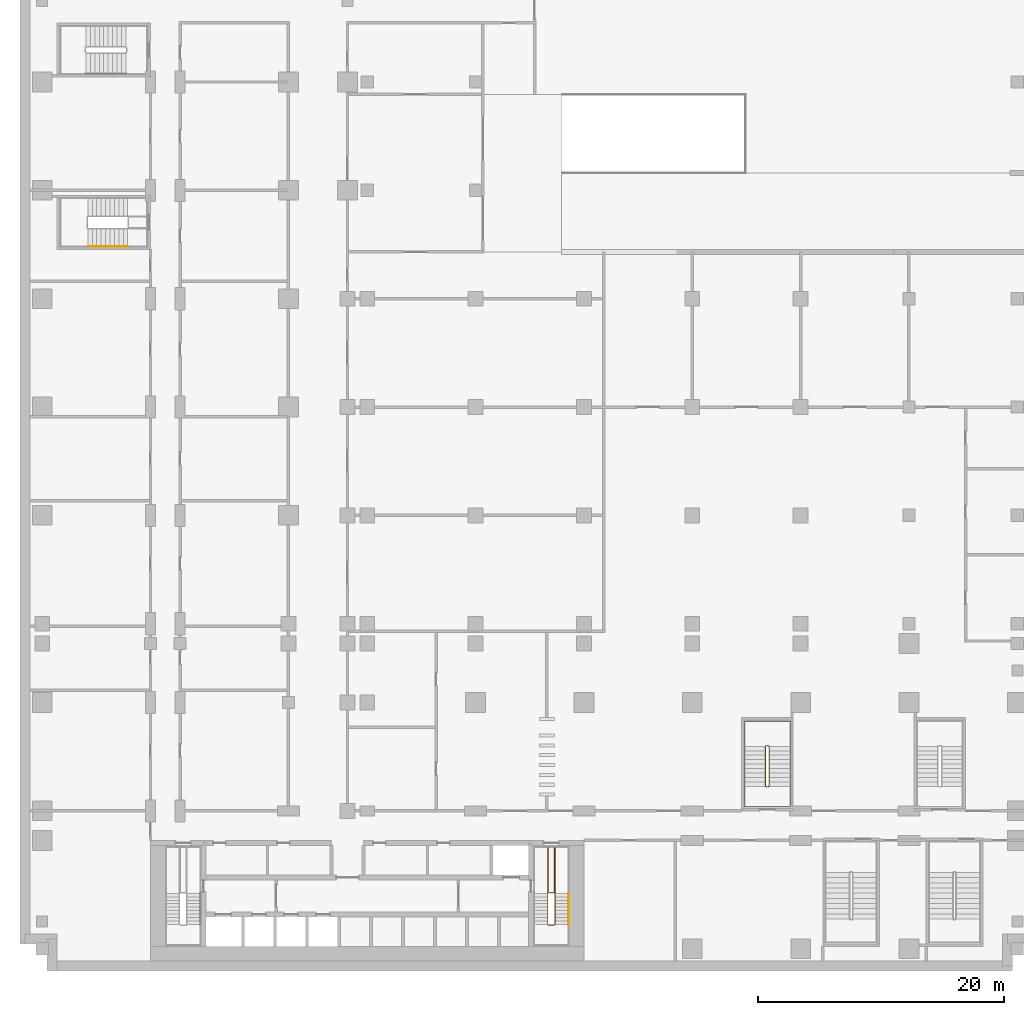
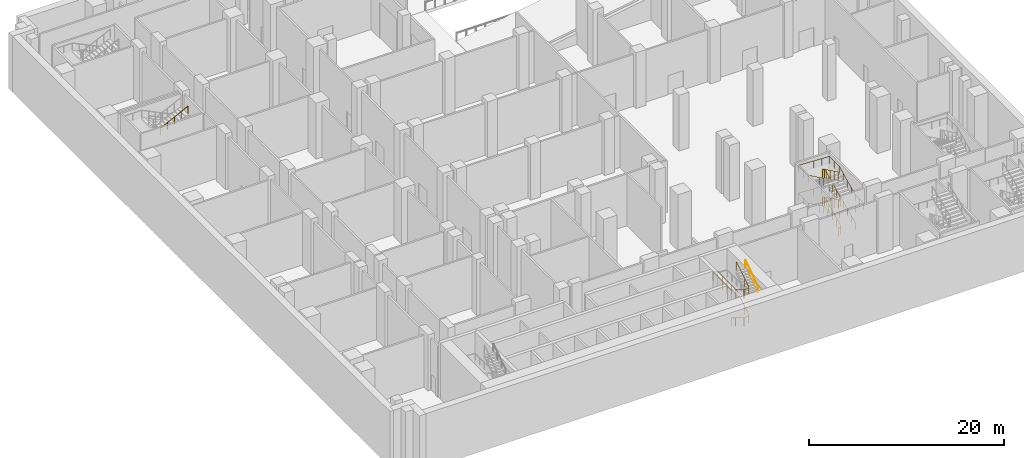
# One storey, part 12 of 15: 5 railings.
"""IFC4 building model written with IfcOpenShell, lengths in metres."""

from ifc_helpers import new_model, si_unit, direction, frame, origin, origin_2d, place, context, subcontext, project, spatial, circle, extrude, material, type_object, element, save


model = new_model("IFC4")

# Units and contexts
model_context = context("Model", 3, precision=1e-05, world=origin(), true_north=direction((0.0, 1.0)))
body_context = subcontext(model_context, "Body", "Model", "MODEL_VIEW")
ifc_project = project(units=[si_unit("LENGTHUNIT", "METRE"), si_unit("AREAUNIT", "SQUARE_METRE"), si_unit("VOLUMEUNIT", "CUBIC_METRE"), si_unit("PLANEANGLEUNIT", "RADIAN"), si_unit("MASSUNIT", "GRAM", prefix="KILO")], contexts=[model_context])

# Site, building, storey
site_placement = place(None, origin())
site = spatial("IfcSite", under=ifc_project, at=site_placement, CompositionType="ELEMENT")
building_placement = place(site_placement, origin())
building = spatial("IfcBuilding", under=site, at=building_placement, Name="Kemantara Hotel Tower", CompositionType="ELEMENT")
storey_placement = place(building_placement, frame((0.0, 0.0, -7.0)))
storey = spatial("IfcBuildingStorey", under=building, at=storey_placement, Name="B1", CompositionType="ELEMENT", Elevation=-7.0)

# Railings
ifc_material = material(Name="Stainless steel balustrade", Category="steel")
railing_type_1 = type_object("IfcRailingType", Name="Stair guard 1100 mm", PredefinedType="GUARDRAIL", material=ifc_material)
railing_1_placement = place(storey_placement, frame((42.64990234375, 5.5, 7.0)))
element("IfcRailing", 1, at=railing_1_placement, inside=storey, type_object=railing_type_1, Name="B1 ST2 stair guard 1", PredefinedType="GUARDRAIL", context=body_context, shape_type="SweptSolid", body=[
    extrude(circle(Radius=0.02392578125, at=origin_2d()), frame((0.0, 0.0, 1.076171875), z_axis=(0.0, -0.848007534815, -0.529984170421), x_axis=(1.0, 0.0, 0.0)), (0.0, 0.0, 1.0), 2.9716796875),
    extrude(circle(Radius=0.02392578125, at=origin_2d()), frame((0.0, -2.52001953125, -0.4990234375), z_axis=(-0.263862480399, -0.265155923931, -0.927399011991), x_axis=(0.708833529934, -0.705375805398, 0.0)), (0.0, 0.0, 1.0), 0.188720703125),
    extrude(circle(Radius=0.02392578125, at=origin_2d()), frame((-0.0498046875, -2.570068359375, -0.673828125), z_axis=(-1.0, 0.0, 0.0), x_axis=(0.0, -1.0, 0.0)), (0.0, 0.0, 1.0), 0.5),
    extrude(circle(Radius=0.02392578125, at=origin_2d()), frame((-0.5498046875, -2.570068359375, -0.673828125), z_axis=(-0.707106781187, 0.707106781187, 0.0), x_axis=(-0.707106781187, -0.707106781187, 0.0)), (0.0, 0.0, 1.0), 0.07080078125),
    extrude(circle(Radius=0.02392578125, at=origin_2d()), frame((-0.599853515625, -2.52001953125, -0.673828125), z_axis=(0.0, 0.848007534815, -0.529984170421), x_axis=(-1.0, 0.0, 0.0)), (0.0, 0.0, 1.0), 2.9716796875),
    extrude(circle(Radius=0.02392578125, at=origin_2d()), frame((-0.599853515625, 0.0, -2.2490234375), z_axis=(0.0, 1.0, 0.0), x_axis=(-1.0, 0.0, 0.0)), (0.0, 0.0, 1.0), 3.780029296875),
    extrude(circle(Radius=0.02392578125, at=origin_2d()), frame((-0.599853515625, 3.780029296875, -2.2490234375), z_axis=(0.952909114454, 0.0, -0.303256029766), x_axis=(0.0, 1.0, 0.0)), (0.0, 0.0, 1.0), 0.5771484375),
    extrude(circle(Radius=0.02392578125, at=origin_2d()), frame((-0.0498046875, 3.780029296875, -2.423828125), z_axis=(0.0, -1.0, 0.0), x_axis=(1.0, 0.0, 0.0)), (0.0, 0.0, 1.0), 3.72998046875),
    extrude(circle(Radius=0.02392578125, at=origin_2d()), frame((-0.0498046875, 0.050048828125, -2.423828125), z_axis=(-1.0, 0.0, 0.0), x_axis=(0.0, -1.0, 0.0)), (0.0, 0.0, 1.0), 0.5),
    extrude(circle(Radius=0.02392578125, at=origin_2d()), frame((-0.5498046875, 0.050048828125, -2.423828125), z_axis=(0.0, 1.0, 0.0), x_axis=(-1.0, 0.0, 0.0)), (0.0, 0.0, 1.0), 3.72998046875),
    extrude(circle(Radius=0.02392578125, at=origin_2d()), frame((-0.5498046875, 3.780029296875, -2.423828125), z_axis=(1.0, 0.0, 0.0), x_axis=(0.0, 1.0, 0.0)), (0.0, 0.0, 1.0), 0.5498046875),
    extrude(circle(Radius=0.02392578125, at=origin_2d()), frame((0.0, 3.780029296875, -2.423828125), z_axis=(0.0, -1.0, 0.0), x_axis=(1.0, 0.0, 0.0)), (0.0, 0.0, 1.0), 3.780029296875),
    extrude(circle(Radius=0.02392578125, at=origin_2d()), frame((0.0, 0.0, -2.423828125), z_axis=(0.0, -0.848007534815, -0.529984170421), x_axis=(1.0, 0.0, 0.0)), (0.0, 0.0, 1.0), 2.9716796875),
    extrude(circle(Radius=0.02392578125, at=origin_2d()), frame((0.0, -2.52001953125, -3.9990234375), z_axis=(-0.263862480399, -0.265155923931, -0.927399011991), x_axis=(0.708833529934, -0.705375805398, 0.0)), (0.0, 0.0, 1.0), 0.188720703125),
    extrude(circle(Radius=0.02392578125, at=origin_2d()), frame((-0.0498046875, -2.570068359375, -4.173828125), z_axis=(-1.0, 0.0, 0.0), x_axis=(0.0, -1.0, 0.0)), (0.0, 0.0, 1.0), 0.5),
    extrude(circle(Radius=0.02392578125, at=origin_2d()), frame((-0.5498046875, -2.570068359375, -4.173828125), z_axis=(-0.707106781187, 0.707106781187, 0.0), x_axis=(-0.707106781187, -0.707106781187, 0.0)), (0.0, 0.0, 1.0), 0.07080078125),
    extrude(circle(Radius=0.02392578125, at=origin_2d()), frame((-0.599853515625, -2.52001953125, -4.173828125), z_axis=(0.0, 0.848007534815, -0.529984170421), x_axis=(-1.0, 0.0, 0.0)), (0.0, 0.0, 1.0), 2.9716796875),
    extrude(circle(Radius=0.02392578125, at=origin_2d()), frame((-0.599853515625, 0.0, -5.7490234375), z_axis=(0.265065253269, 0.265065253269, -0.927081885822), x_axis=(-0.707106781187, 0.707106781187, 0.0)), (0.0, 0.0, 1.0), 0.188720703125),
    extrude(circle(Radius=0.02392578125, at=origin_2d()), frame((-0.5498046875, 0.050048828125, -5.923828125), z_axis=(1.0, 0.0, 0.0), x_axis=(0.0, 1.0, 0.0)), (0.0, 0.0, 1.0), 0.5),
    extrude(circle(Radius=0.02099609375, at=origin_2d()), origin(), (0.0, 0.0, 1.0), 1.052001953125),
    extrude(circle(Radius=0.02099609375, at=origin_2d()), frame((0.0, -0.840087890625, -0.52490234375)), (0.0, 0.0, 1.0), 1.052001953125),
    extrude(circle(Radius=0.02099609375, at=origin_2d()), frame((0.0, -1.679931640625, -1.050048828125)), (0.0, 0.0, 1.0), 1.052001953125),
    extrude(circle(Radius=0.02099609375, at=origin_2d()), frame((0.0, -2.52001953125, -1.574951171875)), (0.0, 0.0, 1.0), 1.052001953125),
    extrude(circle(Radius=0.02099609375, at=origin_2d()), frame((-0.0498046875, -2.570068359375, -1.75)), (0.0, 0.0, 1.0), 1.052001953125),
    extrude(circle(Radius=0.02099609375, at=origin_2d()), frame((-0.5498046875, -2.570068359375, -1.75)), (0.0, 0.0, 1.0), 1.052001953125),
    extrude(circle(Radius=0.02099609375, at=origin_2d()), frame((-0.599853515625, -2.52001953125, -1.75)), (0.0, 0.0, 1.0), 1.052001953125),
    extrude(circle(Radius=0.02099609375, at=origin_2d()), frame((-0.599853515625, -1.679931640625, -2.27490234375)), (0.0, 0.0, 1.0), 1.052001953125),
    extrude(circle(Radius=0.02099609375, at=origin_2d()), frame((-0.599853515625, -0.840087890625, -2.800048828125)), (0.0, 0.0, 1.0), 1.052001953125),
    extrude(circle(Radius=0.02099609375, at=origin_2d()), frame((-0.599853515625, 0.0, -3.324951171875)), (0.0, 0.0, 1.0), 1.052001953125),
    extrude(circle(Radius=0.02099609375, at=origin_2d()), frame((-0.599853515625, 0.945068359375, -3.324951171875)), (0.0, 0.0, 1.0), 1.052001953125),
    extrude(circle(Radius=0.02099609375, at=origin_2d()), frame((-0.599853515625, 1.89013671875, -3.324951171875)), (0.0, 0.0, 1.0), 1.052001953125),
    extrude(circle(Radius=0.02099609375, at=origin_2d()), frame((-0.599853515625, 2.8349609375, -3.324951171875)), (0.0, 0.0, 1.0), 1.052001953125),
    extrude(circle(Radius=0.02099609375, at=origin_2d()), frame((-0.599853515625, 3.780029296875, -3.324951171875)), (0.0, 0.0, 1.0), 1.052001953125),
    extrude(circle(Radius=0.02099609375, at=origin_2d()), frame((-0.0498046875, 3.780029296875, -3.5)), (0.0, 0.0, 1.0), 1.052001953125),
    extrude(circle(Radius=0.02099609375, at=origin_2d()), frame((-0.0498046875, 2.84765625, -3.5)), (0.0, 0.0, 1.0), 1.052001953125),
    extrude(circle(Radius=0.02099609375, at=origin_2d()), frame((-0.0498046875, 1.9150390625, -3.5)), (0.0, 0.0, 1.0), 1.052001953125),
    extrude(circle(Radius=0.02099609375, at=origin_2d()), frame((-0.0498046875, 0.982421875, -3.5)), (0.0, 0.0, 1.0), 1.052001953125),
    extrude(circle(Radius=0.02099609375, at=origin_2d()), frame((-0.0498046875, 0.050048828125, -3.5)), (0.0, 0.0, 1.0), 1.052001953125),
    extrude(circle(Radius=0.02099609375, at=origin_2d()), frame((-0.5498046875, 0.050048828125, -3.5)), (0.0, 0.0, 1.0), 1.052001953125),
    extrude(circle(Radius=0.02099609375, at=origin_2d()), frame((-0.5498046875, 0.982421875, -3.5)), (0.0, 0.0, 1.0), 1.052001953125),
    extrude(circle(Radius=0.02099609375, at=origin_2d()), frame((-0.5498046875, 1.9150390625, -3.5)), (0.0, 0.0, 1.0), 1.052001953125),
    extrude(circle(Radius=0.02099609375, at=origin_2d()), frame((-0.5498046875, 2.84765625, -3.5)), (0.0, 0.0, 1.0), 1.052001953125),
    extrude(circle(Radius=0.02099609375, at=origin_2d()), frame((-0.5498046875, 3.780029296875, -3.5)), (0.0, 0.0, 1.0), 1.052001953125),
    extrude(circle(Radius=0.02099609375, at=origin_2d()), frame((0.0, 3.780029296875, -3.5)), (0.0, 0.0, 1.0), 1.052001953125),
    extrude(circle(Radius=0.02099609375, at=origin_2d()), frame((0.0, 2.8349609375, -3.5)), (0.0, 0.0, 1.0), 1.052001953125),
    extrude(circle(Radius=0.02099609375, at=origin_2d()), frame((0.0, 1.89013671875, -3.5)), (0.0, 0.0, 1.0), 1.052001953125),
    extrude(circle(Radius=0.02099609375, at=origin_2d()), frame((0.0, 0.945068359375, -3.5)), (0.0, 0.0, 1.0), 1.052001953125),
    extrude(circle(Radius=0.02099609375, at=origin_2d()), frame((0.0, 0.0, -3.5)), (0.0, 0.0, 1.0), 1.052001953125),
    extrude(circle(Radius=0.02099609375, at=origin_2d()), frame((0.0, -0.840087890625, -4.02490234375)), (0.0, 0.0, 1.0), 1.052001953125),
    extrude(circle(Radius=0.02099609375, at=origin_2d()), frame((0.0, -1.679931640625, -4.550048828125)), (0.0, 0.0, 1.0), 1.052001953125),
    extrude(circle(Radius=0.02099609375, at=origin_2d()), frame((0.0, -2.52001953125, -5.074951171875)), (0.0, 0.0, 1.0), 1.052001953125),
    extrude(circle(Radius=0.02099609375, at=origin_2d()), frame((-0.0498046875, -2.570068359375, -5.25)), (0.0, 0.0, 1.0), 1.052001953125),
    extrude(circle(Radius=0.02099609375, at=origin_2d()), frame((-0.5498046875, -2.570068359375, -5.25)), (0.0, 0.0, 1.0), 1.052001953125),
    extrude(circle(Radius=0.02099609375, at=origin_2d()), frame((-0.599853515625, -2.52001953125, -5.25)), (0.0, 0.0, 1.0), 1.052001953125),
    extrude(circle(Radius=0.02099609375, at=origin_2d()), frame((-0.599853515625, -1.679931640625, -5.77490234375)), (0.0, 0.0, 1.0), 1.052001953125),
    extrude(circle(Radius=0.02099609375, at=origin_2d()), frame((-0.599853515625, -0.840087890625, -6.300048828125)), (0.0, 0.0, 1.0), 1.052001953125),
    extrude(circle(Radius=0.02099609375, at=origin_2d()), frame((-0.599853515625, 0.0, -6.824951171875)), (0.0, 0.0, 1.0), 1.052001953125),
    extrude(circle(Radius=0.02099609375, at=origin_2d()), frame((-0.5498046875, 0.050048828125, -7.0)), (0.0, 0.0, 1.0), 1.052001953125),
    extrude(circle(Radius=0.02099609375, at=origin_2d()), frame((-0.0498046875, 0.050048828125, -7.0)), (0.0, 0.0, 1.0), 1.052001953125),
])
railing_2_placement = place(storey_placement, frame((59.75, 14.199951171875, 7.0)))
element("IfcRailing", 2, at=railing_2_placement, inside=storey, type_object=railing_type_1, Name="B1 ST3 stair guard 1", PredefinedType="GUARDRAIL", context=body_context, shape_type="SweptSolid", body=[
    extrude(circle(Radius=0.02392578125, at=origin_2d()), frame((0.0, 0.0, 1.076171875), z_axis=(0.0, 0.899372665325, -0.437182809435), x_axis=(-1.0, 0.0, 0.0)), (0.0, 0.0, 1.0), 3.6025390625),
    extrude(circle(Radius=0.02392578125, at=origin_2d()), frame((0.0, 3.239990234375, -0.4990234375), z_axis=(0.265065253269, 0.265065253269, -0.927081885822), x_axis=(-0.707106781187, 0.707106781187, 0.0)), (0.0, 0.0, 1.0), 0.188720703125),
    extrude(circle(Radius=0.02392578125, at=origin_2d()), frame((0.050048828125, 3.2900390625, -0.673828125), z_axis=(1.0, 0.0, 0.0), x_axis=(0.0, 1.0, 0.0)), (0.0, 0.0, 1.0), 0.199951171875),
    extrude(circle(Radius=0.02392578125, at=origin_2d()), frame((0.25, 3.2900390625, -0.673828125), z_axis=(0.707106781187, -0.707106781187, 0.0), x_axis=(0.707106781187, 0.707106781187, 0.0)), (0.0, 0.0, 1.0), 0.07080078125),
    extrude(circle(Radius=0.02392578125, at=origin_2d()), frame((0.300048828125, 3.239990234375, -0.673828125), z_axis=(0.0, -0.899372665325, -0.437182809435), x_axis=(1.0, 0.0, 0.0)), (0.0, 0.0, 1.0), 3.6025390625),
    extrude(circle(Radius=0.02392578125, at=origin_2d()), frame((0.300048828125, 0.0, -2.2490234375), z_axis=(-0.808359196486, -0.161829721953, -0.566009320196), x_axis=(0.196300278283, -0.98054382908, 0.0)), (0.0, 0.0, 1.0), 0.309326171875),
    extrude(circle(Radius=0.02392578125, at=origin_2d()), frame((0.050048828125, -0.050048828125, -2.423828125), z_axis=(1.0, 0.0, 0.0), x_axis=(0.0, 1.0, 0.0)), (0.0, 0.0, 1.0), 0.199951171875),
    extrude(circle(Radius=0.02392578125, at=origin_2d()), frame((0.25, -0.050048828125, -2.423828125), z_axis=(-0.98054382908, 0.196300278283, 0.0), x_axis=(-0.196300278283, -0.98054382908, 0.0)), (0.0, 0.0, 1.0), 0.2548828125),
    extrude(circle(Radius=0.02392578125, at=origin_2d()), frame((0.0, 0.0, -2.423828125), z_axis=(0.0, 0.899372665325, -0.437182809435), x_axis=(-1.0, 0.0, 0.0)), (0.0, 0.0, 1.0), 3.6025390625),
    extrude(circle(Radius=0.02392578125, at=origin_2d()), frame((0.0, 3.239990234375, -3.9990234375), z_axis=(0.265065253269, 0.265065253269, -0.927081885822), x_axis=(-0.707106781187, 0.707106781187, 0.0)), (0.0, 0.0, 1.0), 0.188720703125),
    extrude(circle(Radius=0.02392578125, at=origin_2d()), frame((0.050048828125, 3.2900390625, -4.173828125), z_axis=(1.0, 0.0, 0.0), x_axis=(0.0, 1.0, 0.0)), (0.0, 0.0, 1.0), 0.199951171875),
    extrude(circle(Radius=0.02392578125, at=origin_2d()), frame((0.25, 3.2900390625, -4.173828125), z_axis=(0.707106781187, -0.707106781187, 0.0), x_axis=(0.707106781187, 0.707106781187, 0.0)), (0.0, 0.0, 1.0), 0.07080078125),
    extrude(circle(Radius=0.02392578125, at=origin_2d()), frame((0.300048828125, 3.239990234375, -4.173828125), z_axis=(0.0, -0.899372665325, -0.437182809435), x_axis=(1.0, 0.0, 0.0)), (0.0, 0.0, 1.0), 3.6025390625),
    extrude(circle(Radius=0.02392578125, at=origin_2d()), frame((0.300048828125, 0.0, -5.7490234375), z_axis=(-0.265065253269, -0.265065253269, -0.927081885822), x_axis=(0.707106781187, -0.707106781187, 0.0)), (0.0, 0.0, 1.0), 0.188720703125),
    extrude(circle(Radius=0.02392578125, at=origin_2d()), frame((0.25, -0.050048828125, -5.923828125), z_axis=(-1.0, 0.0, 0.0), x_axis=(0.0, -1.0, 0.0)), (0.0, 0.0, 1.0), 0.199951171875),
    extrude(circle(Radius=0.02099609375, at=origin_2d()), origin(), (0.0, 0.0, 1.0), 1.052001953125),
    extrude(circle(Radius=0.02099609375, at=origin_2d()), frame((0.0, 0.81005859375, -0.393798828125)), (0.0, 0.0, 1.0), 1.052001953125),
    extrude(circle(Radius=0.02099609375, at=origin_2d()), frame((0.0, 1.6201171875, -0.78759765625)), (0.0, 0.0, 1.0), 1.052001953125),
    extrude(circle(Radius=0.02099609375, at=origin_2d()), frame((0.0, 2.429931640625, -1.18115234375)), (0.0, 0.0, 1.0), 1.052001953125),
    extrude(circle(Radius=0.02099609375, at=origin_2d()), frame((0.0, 3.239990234375, -1.574951171875)), (0.0, 0.0, 1.0), 1.052001953125),
    extrude(circle(Radius=0.02099609375, at=origin_2d()), frame((0.050048828125, 3.2900390625, -1.75)), (0.0, 0.0, 1.0), 1.052001953125),
    extrude(circle(Radius=0.02099609375, at=origin_2d()), frame((0.25, 3.2900390625, -1.75)), (0.0, 0.0, 1.0), 1.052001953125),
    extrude(circle(Radius=0.02099609375, at=origin_2d()), frame((0.300048828125, 3.239990234375, -1.75)), (0.0, 0.0, 1.0), 1.052001953125),
    extrude(circle(Radius=0.02099609375, at=origin_2d()), frame((0.300048828125, 2.429931640625, -2.143798828125)), (0.0, 0.0, 1.0), 1.052001953125),
    extrude(circle(Radius=0.02099609375, at=origin_2d()), frame((0.300048828125, 1.6201171875, -2.53759765625)), (0.0, 0.0, 1.0), 1.052001953125),
    extrude(circle(Radius=0.02099609375, at=origin_2d()), frame((0.300048828125, 0.81005859375, -2.93115234375)), (0.0, 0.0, 1.0), 1.052001953125),
    extrude(circle(Radius=0.02099609375, at=origin_2d()), frame((0.300048828125, 0.0, -3.324951171875)), (0.0, 0.0, 1.0), 1.052001953125),
    extrude(circle(Radius=0.02099609375, at=origin_2d()), frame((0.050048828125, -0.050048828125, -3.5)), (0.0, 0.0, 1.0), 1.052001953125),
    extrude(circle(Radius=0.02099609375, at=origin_2d()), frame((0.25, -0.050048828125, -3.5)), (0.0, 0.0, 1.0), 1.052001953125),
    extrude(circle(Radius=0.02099609375, at=origin_2d()), frame((0.0, 0.0, -3.5)), (0.0, 0.0, 1.0), 1.052001953125),
    extrude(circle(Radius=0.02099609375, at=origin_2d()), frame((0.0, 0.81005859375, -3.893798828125)), (0.0, 0.0, 1.0), 1.052001953125),
    extrude(circle(Radius=0.02099609375, at=origin_2d()), frame((0.0, 1.6201171875, -4.28759765625)), (0.0, 0.0, 1.0), 1.052001953125),
    extrude(circle(Radius=0.02099609375, at=origin_2d()), frame((0.0, 2.429931640625, -4.68115234375)), (0.0, 0.0, 1.0), 1.052001953125),
    extrude(circle(Radius=0.02099609375, at=origin_2d()), frame((0.0, 3.239990234375, -5.074951171875)), (0.0, 0.0, 1.0), 1.052001953125),
    extrude(circle(Radius=0.02099609375, at=origin_2d()), frame((0.050048828125, 3.2900390625, -5.25)), (0.0, 0.0, 1.0), 1.052001953125),
    extrude(circle(Radius=0.02099609375, at=origin_2d()), frame((0.25, 3.2900390625, -5.25)), (0.0, 0.0, 1.0), 1.052001953125),
    extrude(circle(Radius=0.02099609375, at=origin_2d()), frame((0.300048828125, 3.239990234375, -5.25)), (0.0, 0.0, 1.0), 1.052001953125),
    extrude(circle(Radius=0.02099609375, at=origin_2d()), frame((0.300048828125, 2.429931640625, -5.643798828125)), (0.0, 0.0, 1.0), 1.052001953125),
    extrude(circle(Radius=0.02099609375, at=origin_2d()), frame((0.300048828125, 1.6201171875, -6.03759765625)), (0.0, 0.0, 1.0), 1.052001953125),
    extrude(circle(Radius=0.02099609375, at=origin_2d()), frame((0.300048828125, 0.81005859375, -6.43115234375)), (0.0, 0.0, 1.0), 1.052001953125),
    extrude(circle(Radius=0.02099609375, at=origin_2d()), frame((0.300048828125, 0.0, -6.824951171875)), (0.0, 0.0, 1.0), 1.052001953125),
    extrude(circle(Radius=0.02099609375, at=origin_2d()), frame((0.25, -0.050048828125, -7.0)), (0.0, 0.0, 1.0), 1.052001953125),
    extrude(circle(Radius=0.02099609375, at=origin_2d()), frame((0.050048828125, -0.050048828125, -7.0)), (0.0, 0.0, 1.0), 1.052001953125),
])
railing_type_2 = type_object("IfcRailingType", Name="Stair handrail 900 mm", PredefinedType="HANDRAIL", material=ifc_material)
railing_3_placement = place(storey_placement, frame((43.75, 2.97998046875, 5.425048828125)))
element("IfcRailing", 3, at=railing_3_placement, inside=storey, type_object=railing_type_2, Name="B1 ST2 stair handrail 3", PredefinedType="HANDRAIL", context=body_context, shape_type="SweptSolid", body=[
    extrude(circle(Radius=0.02392578125, at=origin_2d()), frame((0.0, 0.0, 0.8759765625), z_axis=(0.0, 0.848007534815, 0.529984170421), x_axis=(-1.0, 0.0, 0.0)), (0.0, 0.0, 1.0), 2.9716796875),
    extrude(circle(Radius=0.02099609375, at=origin_2d()), origin(), (0.0, 0.0, 1.0), 0.851806640625),
    extrude(circle(Radius=0.02099609375, at=origin_2d()), frame((0.0, 0.840087890625, 0.52490234375)), (0.0, 0.0, 1.0), 0.851806640625),
    extrude(circle(Radius=0.02099609375, at=origin_2d()), frame((0.0, 1.679931640625, 1.050048828125)), (0.0, 0.0, 1.0), 0.851806640625),
    extrude(circle(Radius=0.02099609375, at=origin_2d()), frame((0.0, 2.52001953125, 1.574951171875)), (0.0, 0.0, 1.0), 0.851806640625),
])
railing_4_placement = place(storey_placement, frame((61.75, 14.199951171875, 0.175048828125)))
element("IfcRailing", 4, at=railing_4_placement, inside=storey, type_object=railing_type_2, Name="B1 ST3 stair handrail 1", PredefinedType="HANDRAIL", context=body_context, shape_type="SweptSolid", body=[
    extrude(circle(Radius=0.02392578125, at=origin_2d()), frame((0.0, 0.0, 0.8759765625), z_axis=(0.0, 0.899372665325, 0.437182809435), x_axis=(-1.0, 0.0, 0.0)), (0.0, 0.0, 1.0), 3.6025390625),
    extrude(circle(Radius=0.02392578125, at=origin_2d()), frame((0.0, 3.239990234375, 2.45068359375), z_axis=(0.0, 1.0, 0.0), x_axis=(-1.0, 0.0, 0.0)), (0.0, 0.0, 1.0), 2.0400390625),
    extrude(circle(Radius=0.02392578125, at=origin_2d()), frame((0.0, 5.280029296875, 2.45068359375), z_axis=(-0.998882704354, 0.0, 0.047258257936), x_axis=(0.0, -1.0, 0.0)), (0.0, 0.0, 1.0), 3.7041015625),
    extrude(circle(Radius=0.02392578125, at=origin_2d()), frame((-3.699951171875, 5.280029296875, 2.6259765625), z_axis=(0.0, -1.0, 0.0), x_axis=(1.0, 0.0, 0.0)), (0.0, 0.0, 1.0), 2.0400390625),
    extrude(circle(Radius=0.02392578125, at=origin_2d()), frame((-3.699951171875, 3.239990234375, 2.6259765625), z_axis=(0.0, -0.899372665325, 0.437182809435), x_axis=(1.0, 0.0, 0.0)), (0.0, 0.0, 1.0), 3.6025390625),
    extrude(circle(Radius=0.02392578125, at=origin_2d()), frame((-3.699951171875, 0.0, 4.20068359375), z_axis=(0.0, -1.0, 0.0), x_axis=(1.0, 0.0, 0.0)), (0.0, 0.0, 1.0), 1.679931640625),
    extrude(circle(Radius=0.02392578125, at=origin_2d()), frame((-3.699951171875, -1.679931640625, 4.20068359375), z_axis=(0.998882704354, 0.0, 0.047258257936), x_axis=(0.0, 1.0, 0.0)), (0.0, 0.0, 1.0), 3.7041015625),
    extrude(circle(Radius=0.02392578125, at=origin_2d()), frame((0.0, -1.679931640625, 4.3759765625), z_axis=(0.0, 1.0, 0.0), x_axis=(-1.0, 0.0, 0.0)), (0.0, 0.0, 1.0), 1.679931640625),
    extrude(circle(Radius=0.02392578125, at=origin_2d()), frame((0.0, 0.0, 4.3759765625), z_axis=(0.0, 0.899372665325, 0.437182809435), x_axis=(-1.0, 0.0, 0.0)), (0.0, 0.0, 1.0), 3.6025390625),
    extrude(circle(Radius=0.02392578125, at=origin_2d()), frame((0.0, 3.239990234375, 5.95068359375), z_axis=(0.0, 1.0, 0.0), x_axis=(-1.0, 0.0, 0.0)), (0.0, 0.0, 1.0), 2.0400390625),
    extrude(circle(Radius=0.02392578125, at=origin_2d()), frame((0.0, 5.280029296875, 5.95068359375), z_axis=(-0.998882704354, 0.0, 0.047258257936), x_axis=(0.0, -1.0, 0.0)), (0.0, 0.0, 1.0), 3.7041015625),
    extrude(circle(Radius=0.02392578125, at=origin_2d()), frame((-3.699951171875, 5.280029296875, 6.1259765625), z_axis=(0.0, -1.0, 0.0), x_axis=(1.0, 0.0, 0.0)), (0.0, 0.0, 1.0), 2.0400390625),
    extrude(circle(Radius=0.02392578125, at=origin_2d()), frame((-3.699951171875, 3.239990234375, 6.1259765625), z_axis=(0.0, -0.899372665325, 0.437182809435), x_axis=(1.0, 0.0, 0.0)), (0.0, 0.0, 1.0), 3.6025390625),
    extrude(circle(Radius=0.02099609375, at=origin_2d()), origin(), (0.0, 0.0, 1.0), 0.851806640625),
    extrude(circle(Radius=0.02099609375, at=origin_2d()), frame((0.0, 0.81005859375, 0.393798828125)), (0.0, 0.0, 1.0), 0.851806640625),
    extrude(circle(Radius=0.02099609375, at=origin_2d()), frame((0.0, 1.6201171875, 0.78759765625)), (0.0, 0.0, 1.0), 0.851806640625),
    extrude(circle(Radius=0.02099609375, at=origin_2d()), frame((0.0, 2.429931640625, 1.18115234375)), (0.0, 0.0, 1.0), 0.851806640625),
    extrude(circle(Radius=0.02099609375, at=origin_2d()), frame((0.0, 3.239990234375, 1.574951171875)), (0.0, 0.0, 1.0), 0.851806640625),
    extrude(circle(Radius=0.02099609375, at=origin_2d()), frame((0.0, 4.260009765625, 1.574951171875)), (0.0, 0.0, 1.0), 0.851806640625),
    extrude(circle(Radius=0.02099609375, at=origin_2d()), frame((0.0, 5.280029296875, 1.574951171875)), (0.0, 0.0, 1.0), 0.851806640625),
    extrude(circle(Radius=0.02099609375, at=origin_2d()), frame((-0.925048828125, 5.280029296875, 1.61865234375)), (0.0, 0.0, 1.0), 0.851806640625),
    extrude(circle(Radius=0.02099609375, at=origin_2d()), frame((-1.85009765625, 5.280029296875, 1.66259765625)), (0.0, 0.0, 1.0), 0.851806640625),
    extrude(circle(Radius=0.02099609375, at=origin_2d()), frame((-2.77490234375, 5.280029296875, 1.706298828125)), (0.0, 0.0, 1.0), 0.851806640625),
    extrude(circle(Radius=0.02099609375, at=origin_2d()), frame((-3.699951171875, 5.280029296875, 1.75)), (0.0, 0.0, 1.0), 0.851806640625),
    extrude(circle(Radius=0.02099609375, at=origin_2d()), frame((-3.699951171875, 4.260009765625, 1.75)), (0.0, 0.0, 1.0), 0.851806640625),
    extrude(circle(Radius=0.02099609375, at=origin_2d()), frame((-3.699951171875, 3.239990234375, 1.75)), (0.0, 0.0, 1.0), 0.851806640625),
    extrude(circle(Radius=0.02099609375, at=origin_2d()), frame((-3.699951171875, 2.429931640625, 2.143798828125)), (0.0, 0.0, 1.0), 0.851806640625),
    extrude(circle(Radius=0.02099609375, at=origin_2d()), frame((-3.699951171875, 1.6201171875, 2.53759765625)), (0.0, 0.0, 1.0), 0.851806640625),
    extrude(circle(Radius=0.02099609375, at=origin_2d()), frame((-3.699951171875, 0.81005859375, 2.93115234375)), (0.0, 0.0, 1.0), 0.851806640625),
    extrude(circle(Radius=0.02099609375, at=origin_2d()), frame((-3.699951171875, 0.0, 3.324951171875)), (0.0, 0.0, 1.0), 0.851806640625),
    extrude(circle(Radius=0.02099609375, at=origin_2d()), frame((-3.699951171875, -0.83984375, 3.324951171875)), (0.0, 0.0, 1.0), 0.851806640625),
    extrude(circle(Radius=0.02099609375, at=origin_2d()), frame((-3.699951171875, -1.679931640625, 3.324951171875)), (0.0, 0.0, 1.0), 0.851806640625),
    extrude(circle(Radius=0.02099609375, at=origin_2d()), frame((-2.77490234375, -1.679931640625, 3.36865234375)), (0.0, 0.0, 1.0), 0.851806640625),
    extrude(circle(Radius=0.02099609375, at=origin_2d()), frame((-1.85009765625, -1.679931640625, 3.41259765625)), (0.0, 0.0, 1.0), 0.851806640625),
    extrude(circle(Radius=0.02099609375, at=origin_2d()), frame((-0.925048828125, -1.679931640625, 3.456298828125)), (0.0, 0.0, 1.0), 0.851806640625),
    extrude(circle(Radius=0.02099609375, at=origin_2d()), frame((0.0, -1.679931640625, 3.5)), (0.0, 0.0, 1.0), 0.851806640625),
    extrude(circle(Radius=0.02099609375, at=origin_2d()), frame((0.0, -0.83984375, 3.5)), (0.0, 0.0, 1.0), 0.851806640625),
    extrude(circle(Radius=0.02099609375, at=origin_2d()), frame((0.0, 0.0, 3.5)), (0.0, 0.0, 1.0), 0.851806640625),
    extrude(circle(Radius=0.02099609375, at=origin_2d()), frame((0.0, 0.81005859375, 3.893798828125)), (0.0, 0.0, 1.0), 0.851806640625),
    extrude(circle(Radius=0.02099609375, at=origin_2d()), frame((0.0, 1.6201171875, 4.28759765625)), (0.0, 0.0, 1.0), 0.851806640625),
    extrude(circle(Radius=0.02099609375, at=origin_2d()), frame((0.0, 2.429931640625, 4.68115234375)), (0.0, 0.0, 1.0), 0.851806640625),
    extrude(circle(Radius=0.02099609375, at=origin_2d()), frame((0.0, 3.239990234375, 5.074951171875)), (0.0, 0.0, 1.0), 0.851806640625),
    extrude(circle(Radius=0.02099609375, at=origin_2d()), frame((0.0, 4.260009765625, 5.074951171875)), (0.0, 0.0, 1.0), 0.851806640625),
    extrude(circle(Radius=0.02099609375, at=origin_2d()), frame((0.0, 5.280029296875, 5.074951171875)), (0.0, 0.0, 1.0), 0.851806640625),
    extrude(circle(Radius=0.02099609375, at=origin_2d()), frame((-0.925048828125, 5.280029296875, 5.11865234375)), (0.0, 0.0, 1.0), 0.851806640625),
    extrude(circle(Radius=0.02099609375, at=origin_2d()), frame((-1.85009765625, 5.280029296875, 5.16259765625)), (0.0, 0.0, 1.0), 0.851806640625),
    extrude(circle(Radius=0.02099609375, at=origin_2d()), frame((-2.77490234375, 5.280029296875, 5.206298828125)), (0.0, 0.0, 1.0), 0.851806640625),
    extrude(circle(Radius=0.02099609375, at=origin_2d()), frame((-3.699951171875, 5.280029296875, 5.25)), (0.0, 0.0, 1.0), 0.851806640625),
    extrude(circle(Radius=0.02099609375, at=origin_2d()), frame((-3.699951171875, 4.260009765625, 5.25)), (0.0, 0.0, 1.0), 0.851806640625),
    extrude(circle(Radius=0.02099609375, at=origin_2d()), frame((-3.699951171875, 3.239990234375, 5.25)), (0.0, 0.0, 1.0), 0.851806640625),
    extrude(circle(Radius=0.02099609375, at=origin_2d()), frame((-3.699951171875, 2.429931640625, 5.643798828125)), (0.0, 0.0, 1.0), 0.851806640625),
    extrude(circle(Radius=0.02099609375, at=origin_2d()), frame((-3.699951171875, 1.6201171875, 6.03759765625)), (0.0, 0.0, 1.0), 0.851806640625),
    extrude(circle(Radius=0.02099609375, at=origin_2d()), frame((-3.699951171875, 0.81005859375, 6.43115234375)), (0.0, 0.0, 1.0), 0.851806640625),
    extrude(circle(Radius=0.02099609375, at=origin_2d()), frame((-3.699951171875, 0.0, 6.824951171875)), (0.0, 0.0, 1.0), 0.851806640625),
])
railing_5_placement = place(storey_placement, frame((4.7099609375, 58.050048828125, 5.425048828125)))
element("IfcRailing", 5, at=railing_5_placement, inside=storey, type_object=railing_type_2, Name="B1 ST4 stair handrail 2", PredefinedType="HANDRAIL", context=body_context, shape_type="SweptSolid", body=[
    extrude(circle(Radius=0.02392578125, at=origin_2d()), frame((0.0, 0.0, 0.8759765625), z_axis=(0.899372665325, 0.0, 0.437182809435), x_axis=(0.0, 1.0, 0.0)), (0.0, 0.0, 1.0), 3.6025390625),
    extrude(circle(Radius=0.02099609375, at=origin_2d()), origin(), (0.0, 0.0, 1.0), 0.851806640625),
    extrude(circle(Radius=0.02099609375, at=origin_2d()), frame((0.81005859375, 0.0, 0.393798828125)), (0.0, 0.0, 1.0), 0.851806640625),
    extrude(circle(Radius=0.02099609375, at=origin_2d()), frame((1.6201171875, 0.0, 0.78759765625)), (0.0, 0.0, 1.0), 0.851806640625),
    extrude(circle(Radius=0.02099609375, at=origin_2d()), frame((2.429931640625, 0.0, 1.18115234375)), (0.0, 0.0, 1.0), 0.851806640625),
    extrude(circle(Radius=0.02099609375, at=origin_2d()), frame((3.239990234375, 0.0, 1.574951171875)), (0.0, 0.0, 1.0), 0.851806640625),
])

save(model, "model.ifc")
